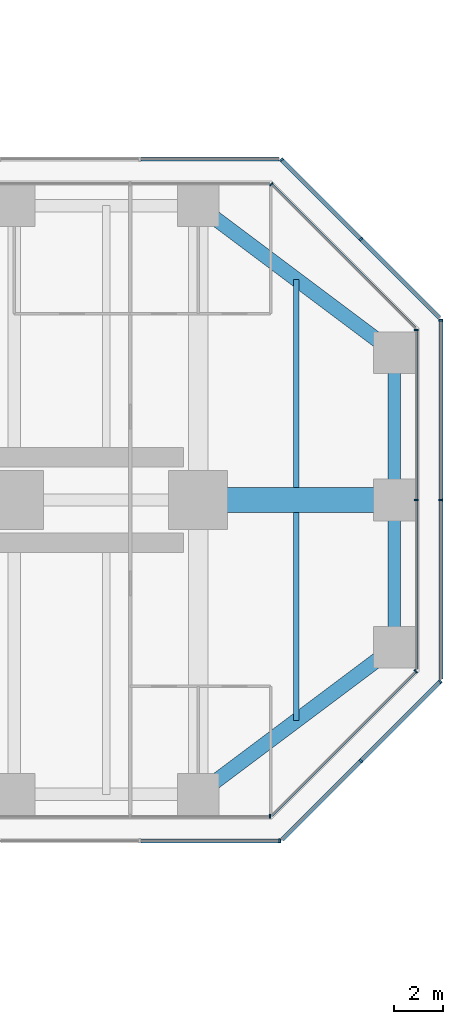
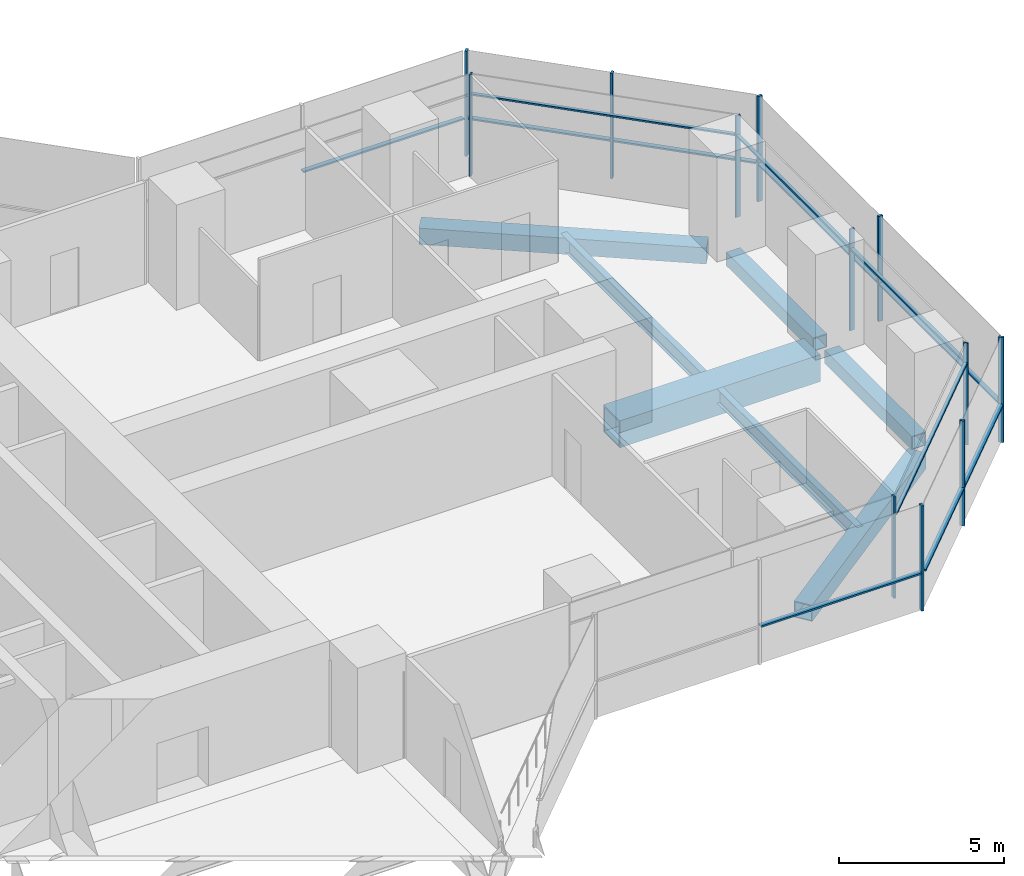
# One storey, part 11 of 19: 24 members, 7 beams, 9 elements without a shape of their own.
"""IFC4 building model written with IfcOpenShell, lengths in metres."""

from ifc_helpers import new_model, si_unit, direction, frame, origin, origin_2d, place, context, subcontext, project, spatial, rectangle, hollow_rectangle, i_section, extrude, material, material_profile, profile_set, type_object, element, aggregate, save


model = new_model("IFC4")

# Units and contexts
model_context = context("Model", 3, precision=1e-05, world=origin(), true_north=direction((0.0, 1.0)))
body_context = subcontext(model_context, "Body", "Model", "MODEL_VIEW")
ifc_project = project(units=[si_unit("LENGTHUNIT", "METRE"), si_unit("AREAUNIT", "SQUARE_METRE"), si_unit("VOLUMEUNIT", "CUBIC_METRE"), si_unit("PLANEANGLEUNIT", "RADIAN"), si_unit("MASSUNIT", "GRAM", prefix="KILO")], contexts=[model_context])

# Site, building, storey
site_placement = place(None, origin())
site = spatial("IfcSite", under=ifc_project, at=site_placement, CompositionType="ELEMENT")
building_placement = place(site_placement, origin())
building = spatial("IfcBuilding", under=site, at=building_placement, Name="Mizan Broadcast Tower", CompositionType="ELEMENT")
storey_placement = place(building_placement, frame((0.0, 0.0, 128.10009765625)))
storey = spatial("IfcBuildingStorey", under=building, at=storey_placement, Name="L28", CompositionType="ELEMENT", Elevation=128.10009765625)

# Beams
ifc_material_1 = material(Name="Steel S355", Category="steel")
ifc_material_profile_1 = material_profile(ifc_material_1, hollow_rectangle(XDim=0.5, YDim=0.5, WallThickness=0.030029296875, at=origin_2d()), Name="BOX 500x500x30")
ifc_profile_set_1 = profile_set([ifc_material_profile_1], Name="Steel S355")
beam_type_1 = type_object("IfcBeamType", Name="EDGE BEAM BOX 500x500x30", PredefinedType="SPANDREL", material=ifc_profile_set_1)
for number, where, z_axis, x_axis, name in (
    (1, (35.0, -5.639892578125, -0.380126953125), (0.0, 1.0, 0.0), (-1.0, 0.0, 0.0), "Edge beam BOX 500x500x30 L28 east arm"),
    (2, (35.0, 5.639892578125, -0.380126953125), (0.0, -1.0, 0.0), (1.0, 0.0, 0.0), "Edge beam BOX 500x500x30 L28 east arm"),
):
    element("IfcBeam", number, at=place(storey_placement, frame(where, z_axis=z_axis, x_axis=x_axis)), inside=storey, type_object=beam_type_1, Name=name, PredefinedType="SPANDREL", context=body_context, shape_type="SweptSolid", body=[
        extrude(hollow_rectangle(XDim=0.5, YDim=0.5, WallThickness=0.030029296875, at=origin_2d()), origin(), (0.0, 0.0, 1.0), 5.27978515625),
    ])
ifc_material_2 = material(Name="Steel S355", Category="steel")
ifc_material_profile_2 = material_profile(ifc_material_2, hollow_rectangle(XDim=0.60009765625, YDim=0.60009765625, WallThickness=0.030029296875, at=origin_2d()), Name="BOX 600x600x30")
ifc_profile_set_2 = profile_set([ifc_material_profile_2], Name="Steel S355")
beam_type_2 = type_object("IfcBeamType", Name="EDGE BEAM BOX 600x600x30", PredefinedType="SPANDREL", material=ifc_profile_set_2)
for number, where, z_axis, x_axis, name in (
    (3, (27.47998046875, -11.639892578125, -0.43017578125), (0.800013316712, 0.599982243973, 0.0), (-0.599982243973, 0.800013316712, 0.0), "Edge beam BOX 600x600x30 L28 east arm"),
    (4, (27.47998046875, 11.639892578125, -0.43017578125), (0.800013316712, -0.599982243973, 0.0), (0.599982243973, 0.800013316712, 0.0), "Edge beam BOX 600x600x30 L28 east arm"),
):
    element("IfcBeam", number, at=place(storey_placement, frame(where, z_axis=z_axis, x_axis=x_axis)), inside=storey, type_object=beam_type_2, Name=name, PredefinedType="SPANDREL", context=body_context, shape_type="SweptSolid", body=[
        extrude(hollow_rectangle(XDim=0.60009765625, YDim=0.60009765625, WallThickness=0.030029296875, at=origin_2d()), origin(), (0.0, 0.0, 1.0), 8.7998046875),
    ])
ifc_material_3 = material(Name="Steel S460", Category="steel")
ifc_material_profile_3 = material_profile(ifc_material_3, hollow_rectangle(XDim=1.0, YDim=1.0, WallThickness=0.06005859375, at=origin_2d()), Name="BOX 1000x1000x60")
ifc_profile_set_3 = profile_set([ifc_material_profile_3], Name="Steel S460")
beam_type_3 = type_object("IfcBeamType", Name="GIRDER BOX 1000x1000x60", PredefinedType="BEAM", material=ifc_profile_set_3)
beam_placement = place(storey_placement, frame((27.47998046875, 0.0, -0.630126953125), z_axis=(1.0, 0.0, 0.0), x_axis=(0.0, 1.0, 0.0)))
element("IfcBeam", 5, at=beam_placement, inside=storey, type_object=beam_type_3, Name="Girder BOX 1000x1000x60 L28 east arm", PredefinedType="BEAM", context=body_context, shape_type="SweptSolid", body=[
    extrude(hollow_rectangle(XDim=1.0, YDim=1.0, WallThickness=0.06005859375, at=origin_2d()), origin(), (0.0, 0.0, 1.0), 7.0400390625),
])

# Curtain wall, member
ifc_material_4 = material(Name="Aluminium framed glazing", Category="aluminium")
curtain_wall_type_1 = type_object("IfcCurtainWallType", Name="INNER SKIN MID ZONE", PredefinedType="USERDEFINED", material=ifc_material_4)
curtain_wall_1_placement = place(storey_placement, origin())
curtain_wall_1 = element("IfcCurtainWall", 6, at=curtain_wall_1_placement, inside=storey, type_object=curtain_wall_type_1, Name="Inner skin mid zone L28 E side", ObjectType="INNER SKIN MID ZONE", PredefinedType="USERDEFINED")
ifc_material_5 = material(Name="Aluminium, pale anodised", Category="aluminium")
ifc_material_profile_4 = material_profile(ifc_material_5, rectangle(XDim=0.159912109375, YDim=0.06005859375, at=origin_2d()), Name="MULLION 160x60")
ifc_profile_set_4 = profile_set([ifc_material_profile_4], Name="Aluminium, pale anodised")
member_type_1 = type_object("IfcMemberType", Name="INNER SKIN MULLION 60x160", PredefinedType="MULLION", material=ifc_profile_set_4)
member_1_placement = place(storey_placement, frame((29.928466796875, -12.89990234375, 0.0), z_axis=(0.0, 0.0, 1.0), x_axis=(0.0, 1.0, 0.0)))
member_1 = element("IfcMember", 7, at=member_1_placement, type_object=member_type_1, Name="Inner skin mid zone L28 E side mullion 3", PredefinedType="MULLION", context=body_context, shape_type="SweptSolid", body=[
    extrude(rectangle(XDim=0.159912109375, YDim=0.06005859375, at=origin_2d()), origin(), (0.0, 0.0, 1.0), 3.77001953125),
])
aggregate(curtain_wall_1, [member_1])

curtain_wall_2_placement = place(storey_placement, origin())
curtain_wall_2 = element("IfcCurtainWall", 8, at=curtain_wall_2_placement, inside=storey, type_object=curtain_wall_type_1, Name="Inner skin mid zone L28 E chamfer", ObjectType="INNER SKIN MID ZONE", PredefinedType="USERDEFINED")
member_2_placement = place(storey_placement, frame((35.87890625, -6.979736328125, 0.0), z_axis=(0.0, 0.0, 1.0), x_axis=(-0.707106781187, 0.707106781187, 0.0)))
member_2 = element("IfcMember", 9, at=member_2_placement, type_object=member_type_1, Name="Inner skin mid zone L28 E chamfer mullion 2", PredefinedType="MULLION", context=body_context, shape_type="SweptSolid", body=[
    extrude(rectangle(XDim=0.159912109375, YDim=0.06005859375, at=origin_2d()), origin(), (0.0, 0.0, 1.0), 3.77001953125),
])

# Curtain wall, members
curtain_wall_3_placement = place(storey_placement, origin())
curtain_wall_3 = element("IfcCurtainWall", 10, at=curtain_wall_3_placement, inside=storey, type_object=curtain_wall_type_1, Name="Inner skin mid zone L28 E end", ObjectType="INNER SKIN MID ZONE", PredefinedType="USERDEFINED")
member_3_placement = place(storey_placement, frame((35.89990234375, 0.0, 0.0), z_axis=(0.0, 0.0, 1.0), x_axis=(-1.0, 0.0, 0.0)))
member_3 = element("IfcMember", 11, at=member_3_placement, type_object=member_type_1, Name="Inner skin mid zone L28 E end mullion 2", PredefinedType="MULLION", context=body_context, shape_type="SweptSolid", body=[
    extrude(rectangle(XDim=0.159912109375, YDim=0.06005859375, at=origin_2d()), origin(), (0.0, 0.0, 1.0), 3.77001953125),
])
member_4_placement = place(storey_placement, frame((35.89990234375, 6.928466796875, 0.0), z_axis=(0.0, 0.0, 1.0), x_axis=(-1.0, 0.0, 0.0)))
member_4 = element("IfcMember", 12, at=member_4_placement, type_object=member_type_1, Name="Inner skin mid zone L28 E end mullion 3", PredefinedType="MULLION", context=body_context, shape_type="SweptSolid", body=[
    extrude(rectangle(XDim=0.159912109375, YDim=0.06005859375, at=origin_2d()), origin(), (0.0, 0.0, 1.0), 3.77001953125),
])

# Curtain wall, member
curtain_wall_4_placement = place(storey_placement, origin())
curtain_wall_4 = element("IfcCurtainWall", 13, at=curtain_wall_4_placement, inside=storey, type_object=curtain_wall_type_1, Name="Inner skin mid zone L28 E chamfer", ObjectType="INNER SKIN MID ZONE", PredefinedType="USERDEFINED")
member_5_placement = place(storey_placement, frame((29.979736328125, 12.87890625, 0.0), z_axis=(0.0, 0.0, 1.0), x_axis=(-0.707106781187, -0.707106781187, 0.0)))
member_5 = element("IfcMember", 14, at=member_5_placement, type_object=member_type_1, Name="Inner skin mid zone L28 E chamfer mullion 2", PredefinedType="MULLION", context=body_context, shape_type="SweptSolid", body=[
    extrude(rectangle(XDim=0.159912109375, YDim=0.06005859375, at=origin_2d()), origin(), (0.0, 0.0, 1.0), 3.77001953125),
])

# Member
ifc_material_6 = material(Name="Aluminium, pale anodised", Category="aluminium")
ifc_material_profile_5 = material_profile(ifc_material_6, rectangle(XDim=0.1201171875, YDim=0.06005859375, at=origin_2d()), Name="TRANSOM 120x60")
ifc_profile_set_5 = profile_set([ifc_material_profile_5], Name="Aluminium, pale anodised")
member_type_2 = type_object("IfcMemberType", Name="INNER SKIN TRANSOM 60x120", PredefinedType="USERDEFINED", material=ifc_profile_set_5)
member_6_placement = place(storey_placement, frame((30.0009765625, -12.857666015625, 3.02978515625), z_axis=(0.707106781187, 0.707106781187, 0.0), x_axis=(-0.707106781187, 0.707106781187, 0.0)))
member_6 = element("IfcMember", 15, at=member_6_placement, type_object=member_type_2, Name="Inner skin mid zone L28 E chamfer transom 1.1", ObjectType="TRANSOM", PredefinedType="USERDEFINED", context=body_context, shape_type="SweptSolid", body=[
    extrude(rectangle(XDim=0.1201171875, YDim=0.06005859375, at=origin_2d()), origin(), (0.0, 0.0, 1.0), 8.28271484375),
])

aggregate(curtain_wall_2, [member_2, member_6])

member_7_placement = place(storey_placement, frame((35.89990234375, -6.898681640625, 3.02978515625), z_axis=(0.0, 1.0, 0.0), x_axis=(-1.0, 0.0, 0.0)))
member_7 = element("IfcMember", 16, at=member_7_placement, type_object=member_type_2, Name="Inner skin mid zone L28 E end transom 1.1", ObjectType="TRANSOM", PredefinedType="USERDEFINED", context=body_context, shape_type="SweptSolid", body=[
    extrude(rectangle(XDim=0.1201171875, YDim=0.06005859375, at=origin_2d()), origin(), (0.0, 0.0, 1.0), 6.86865234375),
])

member_8_placement = place(storey_placement, frame((35.89990234375, 0.030029296875, 3.02978515625), z_axis=(0.0, 1.0, 0.0), x_axis=(-1.0, 0.0, 0.0)))
member_8 = element("IfcMember", 17, at=member_8_placement, type_object=member_type_2, Name="Inner skin mid zone L28 E end transom 2.1", ObjectType="TRANSOM", PredefinedType="USERDEFINED", context=body_context, shape_type="SweptSolid", body=[
    extrude(rectangle(XDim=0.1201171875, YDim=0.06005859375, at=origin_2d()), origin(), (0.0, 0.0, 1.0), 6.86865234375),
])

aggregate(curtain_wall_3, [member_3, member_4, member_7, member_8])

member_9_placement = place(storey_placement, frame((35.857666015625, 7.0009765625, 3.02978515625), z_axis=(-0.707106781187, 0.707106781187, 0.0), x_axis=(-0.707106781187, -0.707106781187, 0.0)))
member_9 = element("IfcMember", 18, at=member_9_placement, type_object=member_type_2, Name="Inner skin mid zone L28 E chamfer transom 1.1", ObjectType="TRANSOM", PredefinedType="USERDEFINED", context=body_context, shape_type="SweptSolid", body=[
    extrude(rectangle(XDim=0.1201171875, YDim=0.06005859375, at=origin_2d()), origin(), (0.0, 0.0, 1.0), 8.28271484375),
])

aggregate(curtain_wall_4, [member_5, member_9])

# Curtain wall, members
ifc_material_7 = material(Name="Aluminium framed glazing", Category="aluminium")
curtain_wall_type_2 = type_object("IfcCurtainWallType", Name="OUTER SKIN", PredefinedType="USERDEFINED", material=ifc_material_7)
curtain_wall_5_placement = place(storey_placement, origin())
curtain_wall_5 = element("IfcCurtainWall", 19, at=curtain_wall_5_placement, inside=storey, type_object=curtain_wall_type_2, Name="Outer skin L28 E chamfer", ObjectType="OUTER SKIN", PredefinedType="USERDEFINED")
ifc_material_8 = material(Name="Aluminium, pale anodised", Category="aluminium")
ifc_material_profile_6 = material_profile(ifc_material_8, rectangle(XDim=0.159912109375, YDim=0.080078125, at=origin_2d()), Name="MULLION 160x80")
ifc_profile_set_6 = profile_set([ifc_material_profile_6], Name="Aluminium, pale anodised")
member_type_3 = type_object("IfcMemberType", Name="OUTER SKIN MULLION 80x160", PredefinedType="MULLION", material=ifc_profile_set_6)
member_10_placement = place(storey_placement, frame((33.636474609375, -10.636474609375, 0.0), z_axis=(0.0, 0.0, 1.0), x_axis=(-0.707106781187, 0.707106781187, 0.0)))
member_10 = element("IfcMember", 20, at=member_10_placement, type_object=member_type_3, Name="Outer skin L28 E chamfer mullion 2", PredefinedType="MULLION", context=body_context, shape_type="SweptSolid", body=[
    extrude(rectangle(XDim=0.159912109375, YDim=0.080078125, at=origin_2d()), origin(), (0.0, 0.0, 1.0), 3.89990234375),
])
member_11_placement = place(storey_placement, frame((36.871826171875, -7.401123046875, 0.0), z_axis=(0.0, 0.0, 1.0), x_axis=(-0.707106781187, 0.707106781187, 0.0)))
member_11 = element("IfcMember", 21, at=member_11_placement, type_object=member_type_3, Name="Outer skin L28 E chamfer mullion 3", PredefinedType="MULLION", context=body_context, shape_type="SweptSolid", body=[
    extrude(rectangle(XDim=0.159912109375, YDim=0.080078125, at=origin_2d()), origin(), (0.0, 0.0, 1.0), 3.89990234375),
])

curtain_wall_6_placement = place(storey_placement, origin())
curtain_wall_6 = element("IfcCurtainWall", 22, at=curtain_wall_6_placement, inside=storey, type_object=curtain_wall_type_2, Name="Outer skin L28 E end", ObjectType="OUTER SKIN", PredefinedType="USERDEFINED")
member_12_placement = place(storey_placement, frame((36.89990234375, 0.0, 0.0), z_axis=(0.0, 0.0, 1.0), x_axis=(-1.0, 0.0, 0.0)))
member_12 = element("IfcMember", 23, at=member_12_placement, type_object=member_type_3, Name="Outer skin L28 E end mullion 2", PredefinedType="MULLION", context=body_context, shape_type="SweptSolid", body=[
    extrude(rectangle(XDim=0.159912109375, YDim=0.080078125, at=origin_2d()), origin(), (0.0, 0.0, 1.0), 3.89990234375),
])
member_13_placement = place(storey_placement, frame((36.89990234375, 7.332763671875, 0.0), z_axis=(0.0, 0.0, 1.0), x_axis=(-1.0, 0.0, 0.0)))
member_13 = element("IfcMember", 24, at=member_13_placement, type_object=member_type_3, Name="Outer skin L28 E end mullion 3", PredefinedType="MULLION", context=body_context, shape_type="SweptSolid", body=[
    extrude(rectangle(XDim=0.159912109375, YDim=0.080078125, at=origin_2d()), origin(), (0.0, 0.0, 1.0), 3.89990234375),
])

curtain_wall_7_placement = place(storey_placement, origin())
curtain_wall_7 = element("IfcCurtainWall", 25, at=curtain_wall_7_placement, inside=storey, type_object=curtain_wall_type_2, Name="Outer skin L28 E chamfer", ObjectType="OUTER SKIN", PredefinedType="USERDEFINED")
member_14_placement = place(storey_placement, frame((33.636474609375, 10.636474609375, 0.0), z_axis=(0.0, 0.0, 1.0), x_axis=(-0.707106781187, -0.707106781187, 0.0)))
member_14 = element("IfcMember", 26, at=member_14_placement, type_object=member_type_3, Name="Outer skin L28 E chamfer mullion 2", PredefinedType="MULLION", context=body_context, shape_type="SweptSolid", body=[
    extrude(rectangle(XDim=0.159912109375, YDim=0.080078125, at=origin_2d()), origin(), (0.0, 0.0, 1.0), 3.89990234375),
])
member_15_placement = place(storey_placement, frame((30.401123046875, 13.871826171875, 0.0), z_axis=(0.0, 0.0, 1.0), x_axis=(-0.707106781187, -0.707106781187, 0.0)))
member_15 = element("IfcMember", 27, at=member_15_placement, type_object=member_type_3, Name="Outer skin L28 E chamfer mullion 3", PredefinedType="MULLION", context=body_context, shape_type="SweptSolid", body=[
    extrude(rectangle(XDim=0.159912109375, YDim=0.080078125, at=origin_2d()), origin(), (0.0, 0.0, 1.0), 3.89990234375),
])

# Curtain wall, member
curtain_wall_8_placement = place(storey_placement, origin())
curtain_wall_8 = element("IfcCurtainWall", 28, at=curtain_wall_8_placement, inside=storey, type_object=curtain_wall_type_2, Name="Outer skin L28 E side", ObjectType="OUTER SKIN", PredefinedType="USERDEFINED")
member_16_placement = place(storey_placement, frame((30.332763671875, -13.89990234375, 0.0), z_axis=(0.0, 0.0, 1.0), x_axis=(0.0, 1.0, 0.0)))
member_16 = element("IfcMember", 29, at=member_16_placement, type_object=member_type_3, Name="Outer skin L28 E side mullion 3", PredefinedType="MULLION", context=body_context, shape_type="SweptSolid", body=[
    extrude(rectangle(XDim=0.159912109375, YDim=0.080078125, at=origin_2d()), origin(), (0.0, 0.0, 1.0), 3.89990234375),
])

# Member
ifc_material_9 = material(Name="Aluminium, pale anodised", Category="aluminium")
ifc_material_profile_7 = material_profile(ifc_material_9, rectangle(XDim=0.159912109375, YDim=0.06005859375, at=origin_2d()), Name="TRANSOM 160x60")
ifc_profile_set_7 = profile_set([ifc_material_profile_7], Name="Aluminium, pale anodised")
member_type_4 = type_object("IfcMemberType", Name="OUTER SKIN TRANSOM 60x160", PredefinedType="USERDEFINED", material=ifc_profile_set_7)
member_17_placement = place(storey_placement, frame((30.429443359375, -13.843505859375, 1.39990234375), z_axis=(0.707106781187, 0.707106781187, 0.0), x_axis=(-0.707106781187, 0.707106781187, 0.0)))
member_17 = element("IfcMember", 30, at=member_17_placement, type_object=member_type_4, Name="Outer skin L28 E chamfer transom 1.1", ObjectType="TRANSOM", PredefinedType="USERDEFINED", context=body_context, shape_type="SweptSolid", body=[
    extrude(rectangle(XDim=0.159912109375, YDim=0.06005859375, at=origin_2d()), origin(), (0.0, 0.0, 1.0), 4.495361328125),
])

member_18_placement = place(storey_placement, frame((33.664794921875, -10.608154296875, 1.39990234375), z_axis=(0.707106781187, 0.707106781187, 0.0), x_axis=(-0.707106781187, 0.707106781187, 0.0)))
member_18 = element("IfcMember", 31, at=member_18_placement, type_object=member_type_4, Name="Outer skin L28 E chamfer transom 2.1", ObjectType="TRANSOM", PredefinedType="USERDEFINED", context=body_context, shape_type="SweptSolid", body=[
    extrude(rectangle(XDim=0.159912109375, YDim=0.06005859375, at=origin_2d()), origin(), (0.0, 0.0, 1.0), 4.495361328125),
])

aggregate(curtain_wall_5, [member_10, member_11, member_17, member_18])

member_19_placement = place(storey_placement, frame((36.89990234375, -7.292724609375, 1.39990234375), z_axis=(0.0, 1.0, 0.0), x_axis=(-1.0, 0.0, 0.0)))
member_19 = element("IfcMember", 32, at=member_19_placement, type_object=member_type_4, Name="Outer skin L28 E end transom 1.1", ObjectType="TRANSOM", PredefinedType="USERDEFINED", context=body_context, shape_type="SweptSolid", body=[
    extrude(rectangle(XDim=0.159912109375, YDim=0.06005859375, at=origin_2d()), origin(), (0.0, 0.0, 1.0), 7.252685546875),
])

member_20_placement = place(storey_placement, frame((36.89990234375, 0.0400390625, 1.39990234375), z_axis=(0.0, 1.0, 0.0), x_axis=(-1.0, 0.0, 0.0)))
member_20 = element("IfcMember", 33, at=member_20_placement, type_object=member_type_4, Name="Outer skin L28 E end transom 2.1", ObjectType="TRANSOM", PredefinedType="USERDEFINED", context=body_context, shape_type="SweptSolid", body=[
    extrude(rectangle(XDim=0.159912109375, YDim=0.06005859375, at=origin_2d()), origin(), (0.0, 0.0, 1.0), 7.252685546875),
])

aggregate(curtain_wall_6, [member_12, member_13, member_19, member_20])

member_21_placement = place(storey_placement, frame((36.843505859375, 7.429443359375, 1.39990234375), z_axis=(-0.707106781187, 0.707106781187, 0.0), x_axis=(-0.707106781187, -0.707106781187, 0.0)))
member_21 = element("IfcMember", 34, at=member_21_placement, type_object=member_type_4, Name="Outer skin L28 E chamfer transom 1.1", ObjectType="TRANSOM", PredefinedType="USERDEFINED", context=body_context, shape_type="SweptSolid", body=[
    extrude(rectangle(XDim=0.159912109375, YDim=0.06005859375, at=origin_2d()), origin(), (0.0, 0.0, 1.0), 4.495361328125),
])

member_22_placement = place(storey_placement, frame((33.608154296875, 10.664794921875, 1.39990234375), z_axis=(-0.707106781187, 0.707106781187, 0.0), x_axis=(-0.707106781187, -0.707106781187, 0.0)))
member_22 = element("IfcMember", 35, at=member_22_placement, type_object=member_type_4, Name="Outer skin L28 E chamfer transom 2.1", ObjectType="TRANSOM", PredefinedType="USERDEFINED", context=body_context, shape_type="SweptSolid", body=[
    extrude(rectangle(XDim=0.159912109375, YDim=0.06005859375, at=origin_2d()), origin(), (0.0, 0.0, 1.0), 4.495361328125),
])

aggregate(curtain_wall_7, [member_14, member_15, member_21, member_22])

# Curtain wall, member
curtain_wall_9_placement = place(storey_placement, origin())
curtain_wall_9 = element("IfcCurtainWall", 36, at=curtain_wall_9_placement, inside=storey, type_object=curtain_wall_type_2, Name="Outer skin L28 E side", ObjectType="OUTER SKIN", PredefinedType="USERDEFINED")
member_23_placement = place(storey_placement, frame((30.292724609375, 13.89990234375, 1.39990234375), z_axis=(-1.0, 0.0, 0.0), x_axis=(0.0, -1.0, 0.0)))
member_23 = element("IfcMember", 37, at=member_23_placement, type_object=member_type_4, Name="Outer skin L28 E side transom 1.1", ObjectType="TRANSOM", PredefinedType="USERDEFINED", context=body_context, shape_type="SweptSolid", body=[
    extrude(rectangle(XDim=0.159912109375, YDim=0.06005859375, at=origin_2d()), origin(), (0.0, 0.0, 1.0), 5.6298828125),
])
aggregate(curtain_wall_9, [member_23])

# Member
member_24_placement = place(storey_placement, frame((24.662841796875, -13.89990234375, 1.39990234375), z_axis=(1.0, 0.0, 0.0), x_axis=(0.0, 1.0, 0.0)))
member_24 = element("IfcMember", 38, at=member_24_placement, type_object=member_type_4, Name="Outer skin L28 E side transom 2.1", ObjectType="TRANSOM", PredefinedType="USERDEFINED", context=body_context, shape_type="SweptSolid", body=[
    extrude(rectangle(XDim=0.159912109375, YDim=0.06005859375, at=origin_2d()), origin(), (0.0, 0.0, 1.0), 5.6298828125),
])

aggregate(curtain_wall_8, [member_16, member_24])

# Beams
ifc_material_10 = material(Name="Steel S355", Category="steel")
ifc_material_profile_8 = material_profile(ifc_material_10, i_section(OverallWidth=0.2099609375, OverallDepth=0.550048828125, WebThickness=0.010986328125, FlangeThickness=0.01708984375, FilletRadius=0.02392578125, at=origin_2d()), Name="IPE 550")
ifc_profile_set_8 = profile_set([ifc_material_profile_8], Name="Steel S355")
beam_type_4 = type_object("IfcBeamType", Name="SECONDARY BEAM IPE 550", PredefinedType="JOIST", material=ifc_profile_set_8)
for number, where, z_axis, x_axis, name in (
    (39, (31.0, -9.0, -0.405029296875), (0.0, 1.0, 0.0), (-1.0, 0.0, 0.0), "Secondary beam IPE 550 L28 east arm"),
    (40, (31.0, 9.0, -0.405029296875), (0.0, -1.0, 0.0), (1.0, 0.0, 0.0), "Secondary beam IPE 550 L28 east arm"),
):
    element("IfcBeam", number, at=place(storey_placement, frame(where, z_axis=z_axis, x_axis=x_axis)), inside=storey, type_object=beam_type_4, Name=name, PredefinedType="JOIST", context=body_context, shape_type="SweptSolid", body=[
        extrude(i_section(OverallWidth=0.2099609375, OverallDepth=0.550048828125, WebThickness=0.010986328125, FlangeThickness=0.01708984375, FilletRadius=0.02392578125, at=origin_2d()), origin(), (0.0, 0.0, 1.0), 8.5),
    ])

save(model, "model.ifc")
